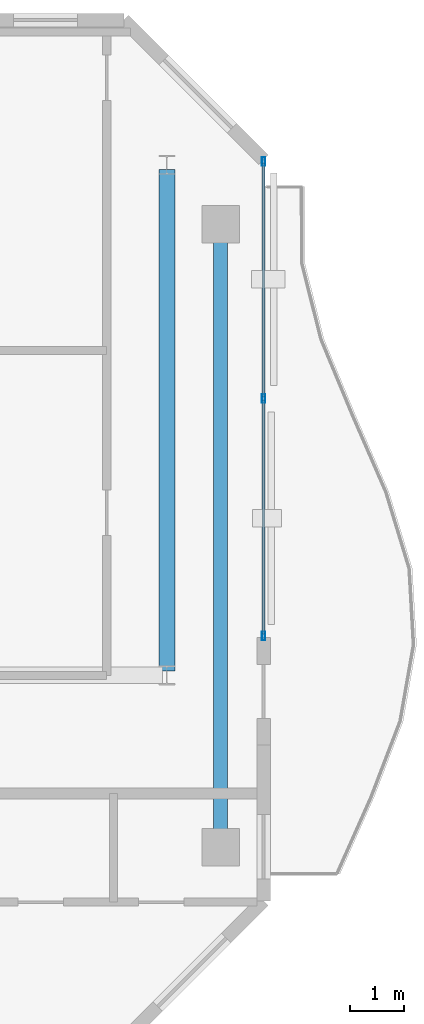
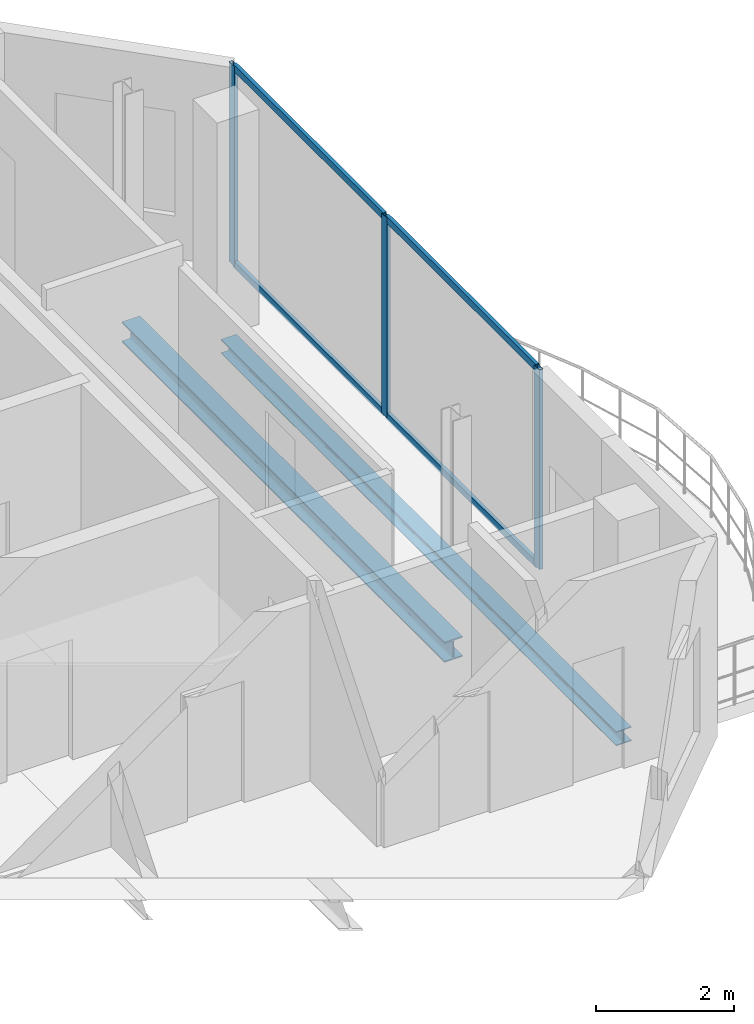
# One storey, part 11 of 17: 7 members, 2 beams, 1 element without a shape of its own.
"""IFC4 building model written with IfcOpenShell, lengths in metres."""

from ifc_helpers import new_model, si_unit, direction, frame, origin, origin_2d, place, context, subcontext, project, spatial, hollow_rectangle, i_section, extrude, material, layer, layer_set, material_profile, profile_set, type_object, element, aggregate, save


model = new_model("IFC4")

# Units and contexts
model_context = context("Model", 3, precision=1e-05, world=origin(), true_north=direction((0.0, 1.0)))
body_context = subcontext(model_context, "Body", "Model", "MODEL_VIEW")
ifc_project = project(units=[si_unit("LENGTHUNIT", "METRE"), si_unit("AREAUNIT", "SQUARE_METRE"), si_unit("VOLUMEUNIT", "CUBIC_METRE"), si_unit("PLANEANGLEUNIT", "RADIAN"), si_unit("MASSUNIT", "GRAM", prefix="KILO")], contexts=[model_context])

# Site, building, storey
site_placement = place(None, origin())
site = spatial("IfcSite", under=ifc_project, at=site_placement, CompositionType="ELEMENT")
building_placement = place(site_placement, origin())
building = spatial("IfcBuilding", under=site, at=building_placement, Name="Catumbela Crestline Tower", CompositionType="ELEMENT")
storey_placement = place(building_placement, frame((0.0, 0.0, 267.8)))
storey = spatial("IfcBuildingStorey", under=building, at=storey_placement, Name="L69", CompositionType="ELEMENT", Elevation=267.8)

# Beam
ifc_material_1 = material(Name="Structural steel S355J2", Category="steel")
ifc_material_profile_1 = material_profile(ifc_material_1, i_section(OverallWidth=0.3, OverallDepth=0.36, WebThickness=0.0125, FlangeThickness=0.0225, FilletRadius=0.027, at=origin_2d()), Name="HEB 360")
ifc_profile_set_1 = profile_set([ifc_material_profile_1], Name="Structural steel S355J2")
beam_type_1 = type_object("IfcBeamType", Name="BG-HEB360", PredefinedType="BEAM", material=ifc_profile_set_1)
beam_1_placement = place(storey_placement, frame((44.2, 30.88, -0.44), z_axis=(0.0, 1.0, 0.0), x_axis=(-1.0, 0.0, 0.0)))
element("IfcBeam", 1, at=beam_1_placement, inside=storey, type_object=beam_type_1, Name="L69 Beam BM-L69-SN10", PredefinedType="BEAM", context=body_context, shape_type="SweptSolid", body=[
    extrude(i_section(OverallWidth=0.3, OverallDepth=0.36, WebThickness=0.0125, FlangeThickness=0.0225, FilletRadius=0.027, at=origin_2d()), origin(), (0.0, 0.0, 1.0), 9.34),
])

# Curtain wall, members
ifc_material_2 = material(Name="Aluminium alloy AW-6060-T66", Category="aluminium")
ifc_layer = layer(ifc_material_2, 0.18, Name="Aluminium alloy AW-6060-T66")
ifc_layer_set = layer_set([ifc_layer], Name="Aluminium alloy AW-6060-T66")
curtain_wall_type = type_object("IfcCurtainWallType", Name="CWU-Z4", PredefinedType="USERDEFINED", material=ifc_layer_set)
curtain_wall_placement = place(storey_placement, origin())
curtain_wall = element("IfcCurtainWall", 2, at=curtain_wall_placement, inside=storey, type_object=curtain_wall_type, Name="L69 Unitised Curtain Wall CW-L69-E5S2", ObjectType="UNITISED", PredefinedType="USERDEFINED")
ifc_material_profile_2 = material_profile(ifc_material_2, hollow_rectangle(XDim=0.06, YDim=0.16, WallThickness=0.004, at=origin_2d()), Name="ALU 160x60x4")
ifc_profile_set_2 = profile_set([ifc_material_profile_2], Name="Aluminium alloy AW-6060-T66")
member_type_1 = type_object("IfcMemberType", Name="MUL-160X60", PredefinedType="MULLION", material=ifc_profile_set_2)
member_1_placement = place(storey_placement, frame((46.0, 31.5325, 0.0), z_axis=(0.0, 0.0, 1.0), x_axis=(-1.0, 0.0, 0.0)))
member_1 = element("IfcMember", 3, at=member_1_placement, type_object=member_type_1, Name="CWU-Z4 mullion 1", PredefinedType="MULLION", context=body_context, shape_type="SweptSolid", body=[
    extrude(hollow_rectangle(XDim=0.06, YDim=0.16, WallThickness=0.004, at=origin_2d()), origin(), (0.0, 0.0, 1.0), 3.53),
])
member_2_placement = place(storey_placement, frame((46.0, 35.95, 0.0), z_axis=(0.0, 0.0, 1.0), x_axis=(-1.0, 0.0, 0.0)))
member_2 = element("IfcMember", 4, at=member_2_placement, type_object=member_type_1, Name="CWU-Z4 mullion 2", PredefinedType="MULLION", context=body_context, shape_type="SweptSolid", body=[
    extrude(hollow_rectangle(XDim=0.06, YDim=0.16, WallThickness=0.004, at=origin_2d()), origin(), (0.0, 0.0, 1.0), 3.53),
])
member_3_placement = place(storey_placement, frame((46.0, 40.3675, 0.0), z_axis=(0.0, 0.0, 1.0), x_axis=(-1.0, 0.0, 0.0)))
member_3 = element("IfcMember", 5, at=member_3_placement, type_object=member_type_1, Name="CWU-Z4 mullion 3", PredefinedType="MULLION", context=body_context, shape_type="SweptSolid", body=[
    extrude(hollow_rectangle(XDim=0.06, YDim=0.16, WallThickness=0.004, at=origin_2d()), origin(), (0.0, 0.0, 1.0), 3.53),
])

# Beam
ifc_material_profile_3 = material_profile(ifc_material_1, i_section(OverallWidth=0.26, OverallDepth=0.25, WebThickness=0.0075, FlangeThickness=0.0125, FilletRadius=0.024, at=origin_2d()), Name="HEA 260")
ifc_profile_set_3 = profile_set([ifc_material_profile_3], Name="Structural steel S355J2")
beam_type_2 = type_object("IfcBeamType", Name="BS-HEA260", PredefinedType="SPANDREL", material=ifc_profile_set_3)
beam_2_placement = place(storey_placement, frame((45.2, 27.68, -0.385), z_axis=(0.0, 1.0, 0.0), x_axis=(-1.0, 0.0, 0.0)))
element("IfcBeam", 6, at=beam_2_placement, inside=storey, type_object=beam_type_2, Name="L69 Spandrel SP-L69-SN11", PredefinedType="SPANDREL", context=body_context, shape_type="SweptSolid", body=[
    extrude(i_section(OverallWidth=0.26, OverallDepth=0.25, WebThickness=0.0075, FlangeThickness=0.0125, FilletRadius=0.024, at=origin_2d()), origin(), (0.0, 0.0, 1.0), 11.44),
])

# Member
ifc_material_profile_4 = material_profile(ifc_material_2, hollow_rectangle(XDim=0.06, YDim=0.12, WallThickness=0.0035, at=origin_2d()), Name="ALU 120x60x3.5")
ifc_profile_set_4 = profile_set([ifc_material_profile_4], Name="Aluminium alloy AW-6060-T66")
member_type_2 = type_object("IfcMemberType", Name="TRN-120X60", PredefinedType="USERDEFINED", material=ifc_profile_set_4)
member_4_placement = place(storey_placement, frame((46.0, 31.565, 0.03), z_axis=(0.0, 1.0, 0.0), x_axis=(-1.0, 0.0, 0.0)))
member_4 = element("IfcMember", 7, at=member_4_placement, type_object=member_type_2, Name="CWU-Z4 transom 1.1", ObjectType="TRANSOM", PredefinedType="USERDEFINED", context=body_context, shape_type="SweptSolid", body=[
    extrude(hollow_rectangle(XDim=0.06, YDim=0.12, WallThickness=0.0035, at=origin_2d()), origin(), (0.0, 0.0, 1.0), 4.3525),
])

member_5_placement = place(storey_placement, frame((46.0, 31.565, 3.5), z_axis=(0.0, 1.0, 0.0), x_axis=(-1.0, 0.0, 0.0)))
member_5 = element("IfcMember", 8, at=member_5_placement, type_object=member_type_2, Name="CWU-Z4 transom 1.2", ObjectType="TRANSOM", PredefinedType="USERDEFINED", context=body_context, shape_type="SweptSolid", body=[
    extrude(hollow_rectangle(XDim=0.06, YDim=0.12, WallThickness=0.0035, at=origin_2d()), origin(), (0.0, 0.0, 1.0), 4.3525),
])

member_6_placement = place(storey_placement, frame((46.0, 35.9825, 0.03), z_axis=(0.0, 1.0, 0.0), x_axis=(-1.0, 0.0, 0.0)))
member_6 = element("IfcMember", 9, at=member_6_placement, type_object=member_type_2, Name="CWU-Z4 transom 2.1", ObjectType="TRANSOM", PredefinedType="USERDEFINED", context=body_context, shape_type="SweptSolid", body=[
    extrude(hollow_rectangle(XDim=0.06, YDim=0.12, WallThickness=0.0035, at=origin_2d()), origin(), (0.0, 0.0, 1.0), 4.3525),
])

member_7_placement = place(storey_placement, frame((46.0, 35.9825, 3.5), z_axis=(0.0, 1.0, 0.0), x_axis=(-1.0, 0.0, 0.0)))
member_7 = element("IfcMember", 10, at=member_7_placement, type_object=member_type_2, Name="CWU-Z4 transom 2.2", ObjectType="TRANSOM", PredefinedType="USERDEFINED", context=body_context, shape_type="SweptSolid", body=[
    extrude(hollow_rectangle(XDim=0.06, YDim=0.12, WallThickness=0.0035, at=origin_2d()), origin(), (0.0, 0.0, 1.0), 4.3525),
])

aggregate(curtain_wall, [member_1, member_2, member_3, member_4, member_5, member_6, member_7])

save(model, "model.ifc")
